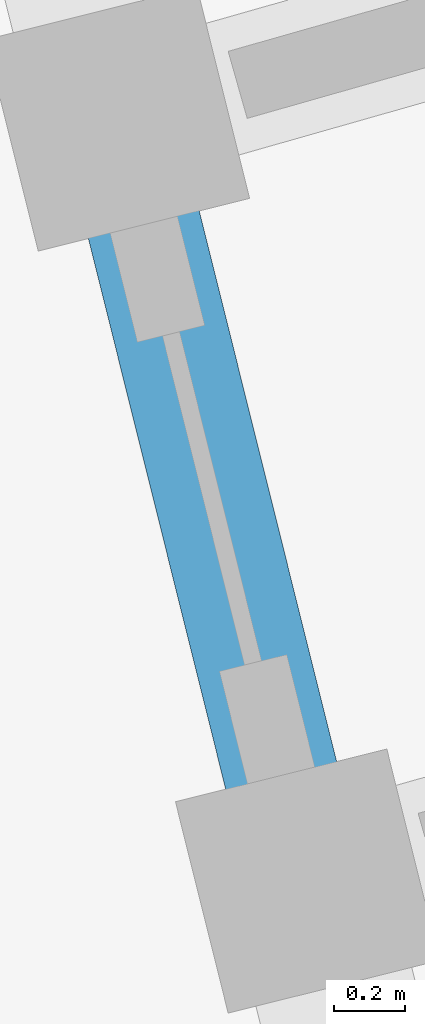
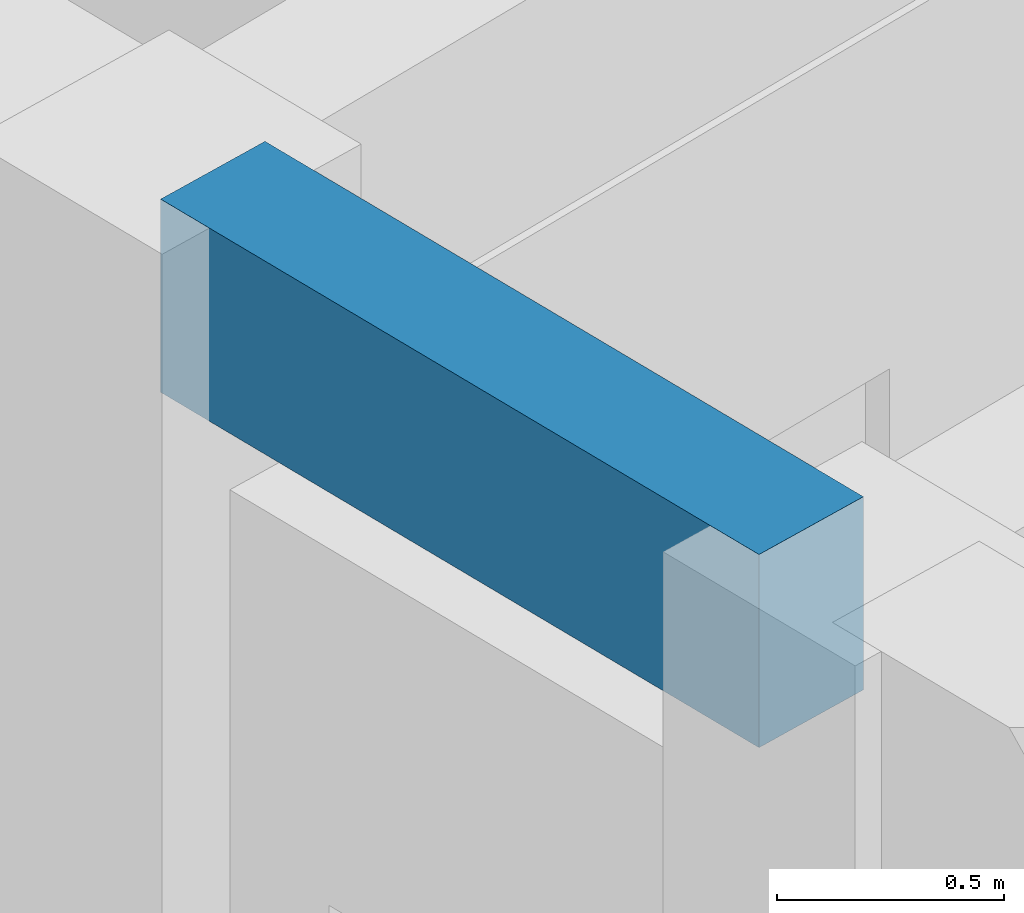
# One storey, part 23 of 128: 1 beam.
"""IFC4 building model written with IfcOpenShell, lengths in metres."""

from ifc_helpers import new_model, si_unit, direction, frame, origin, origin_2d, place, context, subcontext, project, spatial, rectangle, extrude, material, material_profile, profile_set, type_object, element, save


model = new_model("IFC4")

# Units and contexts
model_context = context("Model", 3, precision=1e-05, world=origin(), true_north=direction((0.0, 1.0)))
body_context = subcontext(model_context, "Body", "Model", "MODEL_VIEW")
ifc_project = project(units=[si_unit("LENGTHUNIT", "METRE"), si_unit("AREAUNIT", "SQUARE_METRE"), si_unit("VOLUMEUNIT", "CUBIC_METRE"), si_unit("PLANEANGLEUNIT", "RADIAN"), si_unit("MASSUNIT", "GRAM", prefix="KILO")], contexts=[model_context])

# Site, building, storey
site_placement = place(None, origin())
site = spatial("IfcSite", under=ifc_project, at=site_placement, CompositionType="ELEMENT")
building_placement = place(site_placement, origin())
building = spatial("IfcBuilding", under=site, at=building_placement, Name="Tanwirah Colonnade Gardens", CompositionType="ELEMENT")
storey_placement = place(building_placement, frame((0.0, 0.0, 4.760009765625)))
storey = spatial("IfcBuildingStorey", under=building, at=storey_placement, Name="L01", CompositionType="ELEMENT", Elevation=4.760009765625)

# Beam
ifc_material = material(Name="Precast concrete C40/50", Category="concrete")
ifc_material_profile = material_profile(ifc_material, rectangle(XDim=0.320068359375, YDim=0.52001953125, at=origin_2d()), Name="PC-BM 320x520")
ifc_profile_set = profile_set([ifc_material_profile], Name="Precast concrete C40/50")
beam_type = type_object("IfcBeamType", Name="BM-PC320", PredefinedType="BEAM", material=ifc_profile_set)
beam_placement = place(storey_placement, frame((133.579833984375, 14.044677734375, 3.56494140625), z_axis=(0.241961122321, -0.970285945114, 0.0), x_axis=(0.970285945114, 0.241961122321, 0.0)))
element("IfcBeam", 1, at=beam_placement, inside=storey, type_object=beam_type, Name="Block D L01 Corridor Tie Beam 0", PredefinedType="BEAM", context=body_context, shape_type="SweptSolid", body=[
    extrude(rectangle(XDim=0.320068359375, YDim=0.52001953125, at=origin_2d()), origin(), (0.0, 0.0, 1.0), 1.89990234375),
])

save(model, "model.ifc")
